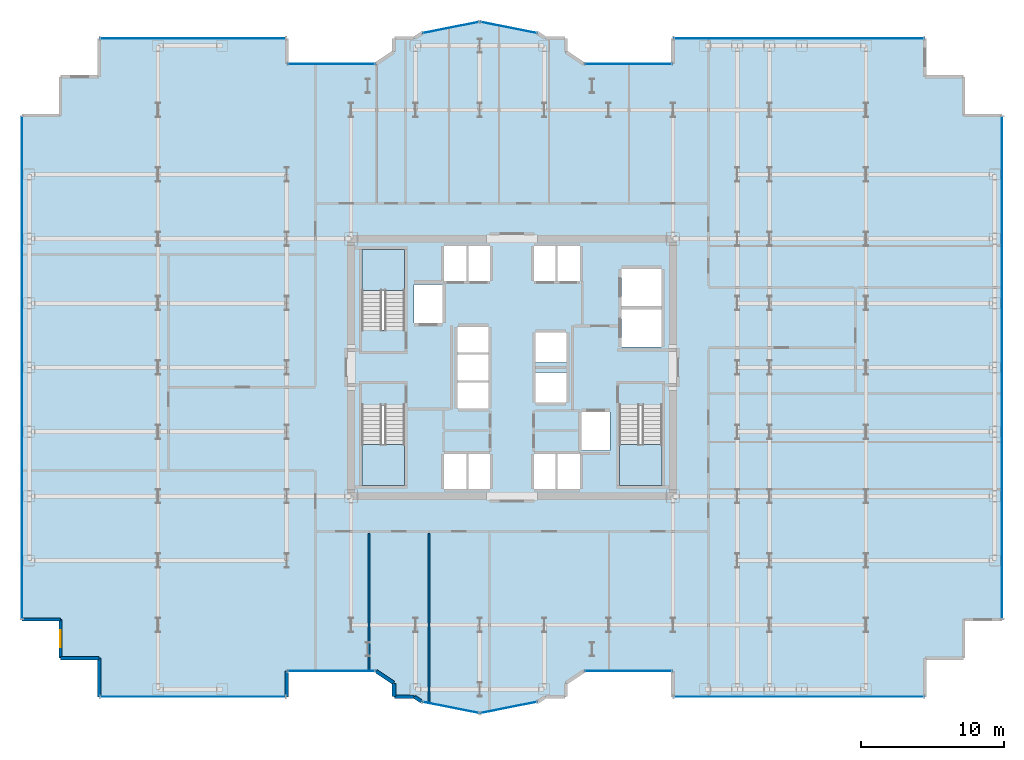
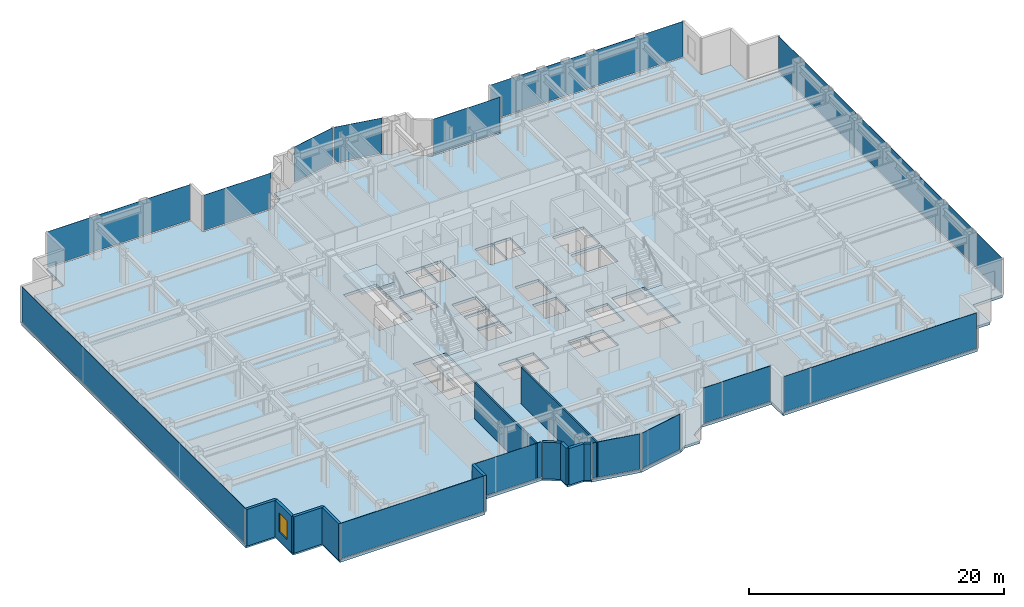
# One storey, part 19 of 26: 14 plates, 11 walls, 4 slabs, 1 window, 1 opening, 17 elements without a shape of their own.
"""IFC4 building model written with IfcOpenShell, lengths in metres."""

from ifc_helpers import new_model, si_unit, direction, frame, frame_2d, origin, origin_2d, place, context, subcontext, project, spatial, polyline, rectangle, outline, extrude, source, transform, mapped, material, layer, layer_set, type_object, element, fill, aggregate, save


model = new_model("IFC4")

# Units and contexts
model_context = context("Model", 3, precision=1e-05, world=origin(), true_north=direction((0.0, 1.0)))
body_context = subcontext(model_context, "Body", "Model", "MODEL_VIEW")
ifc_project = project(units=[si_unit("LENGTHUNIT", "METRE"), si_unit("AREAUNIT", "SQUARE_METRE"), si_unit("VOLUMEUNIT", "CUBIC_METRE"), si_unit("PLANEANGLEUNIT", "RADIAN"), si_unit("MASSUNIT", "GRAM", prefix="KILO")], contexts=[model_context])

# Site, building, storey
site_placement = place(None, origin())
site = spatial("IfcSite", under=ifc_project, at=site_placement, CompositionType="ELEMENT")
building_placement = place(site_placement, origin())
building = spatial("IfcBuilding", under=site, at=building_placement, Name="Nefas-Gora Pilgrimage Tower", CompositionType="ELEMENT")
storey_placement = place(building_placement, frame((0.0, 0.0, 140.199951171875)))
storey = spatial("IfcBuildingStorey", under=building, at=storey_placement, Name="L34", CompositionType="ELEMENT", Elevation=140.199951171875)

# Slab
ifc_material_1 = material(Name="Concrete C40/50", Category="concrete")
ifc_layer_1 = layer(ifc_material_1, 0.25)
ifc_layer_set_1 = layer_set([ifc_layer_1], Name="Concrete C40/50")
slab_type_1 = type_object("IfcSlabType", Name="SLB-TWR-250", PredefinedType="FLOOR", material=ifc_layer_set_1)
slab_1_placement = place(storey_placement, frame((0.0, 0.0, -0.25)))
element("IfcSlab", 1, at=slab_1_placement, inside=storey, type_object=slab_type_1, Name="L34 Structural Floor Slab", PredefinedType="FLOOR", context=body_context, shape_type="SweptSolid", body=[
    extrude(outline(polyline([(5.01806640625, -21.219970703125), (11.25, -21.219970703125), (11.25, -23.02001953125), (28.8701171875, -23.02001953125), (28.8701171875, -20.320068359375), (31.570068359375, -20.320068359375), (31.570068359375, -17.6201171875), (34.27001953125, -17.6201171875), (34.27001953125, 17.6201171875), (31.570068359375, 17.6201171875), (31.570068359375, 20.320068359375), (28.8701171875, 20.320068359375), (28.8701171875, 23.02001953125), (11.25, 23.02001953125), (11.25, 21.219970703125), (5.01806640625, 21.219970703125), (3.75, 22.0673828125), (3.75, 23.02001953125), (2.32421875, 23.02001953125), (1.807373046875, 23.365234375), (-2.25, 24.17236328125), (-6.307373046875, 23.365234375), (-6.82421875, 23.02001953125), (-8.25, 23.02001953125), (-8.25, 22.0673828125), (-9.51806640625, 21.219970703125), (-15.75, 21.219970703125), (-15.75, 23.02001953125), (-28.8701171875, 23.02001953125), (-28.8701171875, 20.320068359375), (-31.570068359375, 20.320068359375), (-31.570068359375, 17.6201171875), (-34.27001953125, 17.6201171875), (-34.27001953125, -17.6201171875), (-31.570068359375, -17.6201171875), (-31.570068359375, -20.320068359375), (-28.8701171875, -20.320068359375), (-28.8701171875, -23.02001953125), (-15.75, -23.02001953125), (-15.75, -21.219970703125), (-9.51806640625, -21.219970703125), (-8.25, -22.0673828125), (-8.25, -23.02001953125), (-6.82421875, -23.02001953125), (-6.307373046875, -23.365234375), (-2.25, -24.17236328125), (1.807373046875, -23.365234375), (2.32421875, -23.02001953125), (3.75, -23.02001953125), (3.75, -22.0673828125), (5.01806640625, -21.219970703125)]), holes=[polyline([(-10.5, 2.639892578125), (-10.5, 8.25), (-7.5, 8.25), (-7.5, 2.639892578125), (-10.5, 2.639892578125)]), polyline([(10.5, -2.639892578125), (10.5, -8.25), (7.5, -8.25), (7.5, -2.639892578125), (10.5, -2.639892578125)]), polyline([(-7.5, -2.639892578125), (-7.5, -8.25), (-10.5, -8.25), (-10.5, -2.639892578125), (-7.5, -2.639892578125)]), polyline([(-6.85009765625, 5.800048828125), (-4.85009765625, 5.800048828125), (-4.85009765625, 3.10009765625), (-6.85009765625, 3.10009765625), (-6.85009765625, 5.800048828125)]), polyline([(4.85009765625, -3.10009765625), (6.85009765625, -3.10009765625), (6.85009765625, -5.800048828125), (4.85009765625, -5.800048828125), (4.85009765625, -3.10009765625)]), polyline([(7.64990234375, 4.050048828125), (10.449951171875, 4.050048828125), (10.449951171875, 1.449951171875), (7.64990234375, 1.449951171875), (7.64990234375, 4.050048828125)]), polyline([(7.64990234375, 6.89990234375), (10.449951171875, 6.89990234375), (10.449951171875, 4.300048828125), (7.64990234375, 4.300048828125), (7.64990234375, 6.89990234375)]), polyline([(-4.75, 8.5), (-3.14990234375, 8.5), (-3.14990234375, 6.050048828125), (-4.75, 6.050048828125), (-4.75, 8.5)]), polyline([(-3.10009765625, 8.5), (-1.550048828125, 8.5), (-1.550048828125, 6.050048828125), (-3.10009765625, 6.050048828125), (-3.10009765625, 8.5)]), polyline([(1.550048828125, 8.5), (3.10009765625, 8.5), (3.10009765625, 6.050048828125), (1.550048828125, 6.050048828125), (1.550048828125, 8.5)]), polyline([(3.14990234375, 8.5), (4.75, 8.5), (4.75, 6.050048828125), (3.14990234375, 6.050048828125), (3.14990234375, 8.5)]), polyline([(-4.75, -6.050048828125), (-3.14990234375, -6.050048828125), (-3.14990234375, -8.5), (-4.75, -8.5), (-4.75, -6.050048828125)]), polyline([(-3.10009765625, -6.050048828125), (-1.550048828125, -6.050048828125), (-1.550048828125, -8.5), (-3.10009765625, -8.5), (-3.10009765625, -6.050048828125)]), polyline([(1.550048828125, -6.050048828125), (3.10009765625, -6.050048828125), (3.10009765625, -8.5), (1.550048828125, -8.5), (1.550048828125, -6.050048828125)]), polyline([(3.14990234375, -6.050048828125), (4.75, -6.050048828125), (4.75, -8.5), (3.14990234375, -8.5), (3.14990234375, -6.050048828125)]), polyline([(-3.800048828125, -1.050048828125), (-1.64990234375, -1.050048828125), (-1.64990234375, -2.85009765625), (-3.800048828125, -2.85009765625), (-3.800048828125, -1.050048828125)]), polyline([(-3.800048828125, 0.89990234375), (-1.64990234375, 0.89990234375), (-1.64990234375, -0.89990234375), (-3.800048828125, -0.89990234375), (-3.800048828125, 0.89990234375)]), polyline([(-3.800048828125, 2.85009765625), (-1.64990234375, 2.85009765625), (-1.64990234375, 1.050048828125), (-3.800048828125, 1.050048828125), (-3.800048828125, 2.85009765625)]), polyline([(1.64990234375, -0.35009765625), (3.800048828125, -0.35009765625), (3.800048828125, -2.449951171875), (1.64990234375, -2.449951171875), (1.64990234375, -0.35009765625)]), polyline([(1.64990234375, 2.449951171875), (3.800048828125, 2.449951171875), (3.800048828125, 0.35009765625), (1.64990234375, 0.35009765625), (1.64990234375, 2.449951171875)])]), origin(), (0.0, 0.0, 1.0), 0.25),
])

# Stair, slab
ifc_material_2 = material(Name="Concrete C45/55", Category="concrete")
stair_type = type_object("IfcStairType", Name="STR-1400-R1727", PredefinedType="HALF_TURN_STAIR", material=ifc_material_2)
stair_1_placement = place(storey_placement, origin())
stair_1 = element("IfcStair", 2, at=stair_1_placement, inside=storey, type_object=stair_type, Name="L34 Pressurised Tower Exit Stair ST-01", PredefinedType="HALF_TURN_STAIR")
ifc_layer_2 = layer(ifc_material_1, 0.199951171875)
ifc_layer_set_2 = layer_set([ifc_layer_2], Name="Concrete C40/50")
slab_type_2 = type_object("IfcSlabType", Name="STR-LAND-200", PredefinedType="LANDING", material=ifc_layer_set_2)
slab_2_placement = place(storey_placement, frame((0.0, 0.0, 1.699951171875)))
slab_2 = element("IfcSlab", 3, at=slab_2_placement, type_object=slab_type_2, Name="ST-01 landing 1", PredefinedType="LANDING", context=body_context, shape_type="SweptSolid", body=[
    extrude(outline(polyline([(-7.5, 5.39990234375), (-7.5, 8.25), (-10.5, 8.25), (-10.5, 5.39990234375), (-7.5, 5.39990234375)])), origin(), (0.0, 0.0, 1.0), 0.2001953125),
])
aggregate(stair_1, [slab_2])

stair_2_placement = place(storey_placement, origin())
stair_2 = element("IfcStair", 4, at=stair_2_placement, inside=storey, type_object=stair_type, Name="L34 Pressurised Tower Exit Stair ST-02", PredefinedType="HALF_TURN_STAIR")
slab_3_placement = place(storey_placement, frame((0.0, 0.0, 1.699951171875)))
slab_3 = element("IfcSlab", 5, at=slab_3_placement, type_object=slab_type_2, Name="ST-02 landing 1", PredefinedType="LANDING", context=body_context, shape_type="SweptSolid", body=[
    extrude(outline(polyline([(7.5, -5.39990234375), (7.5, -8.25), (10.5, -8.25), (10.5, -5.39990234375), (7.5, -5.39990234375)])), origin(), (0.0, 0.0, 1.0), 0.2001953125),
])
aggregate(stair_2, [slab_3])

stair_3_placement = place(storey_placement, origin())
stair_3 = element("IfcStair", 6, at=stair_3_placement, inside=storey, type_object=stair_type, Name="L34 Pressurised Tower Exit Stair ST-03", PredefinedType="HALF_TURN_STAIR")
slab_4_placement = place(storey_placement, frame((0.0, 0.0, 1.699951171875)))
slab_4 = element("IfcSlab", 7, at=slab_4_placement, type_object=slab_type_2, Name="ST-03 landing 1", PredefinedType="LANDING", context=body_context, shape_type="SweptSolid", body=[
    extrude(outline(polyline([(-10.5, -5.39990234375), (-10.5, -8.25), (-7.5, -8.25), (-7.5, -5.39990234375), (-10.5, -5.39990234375)])), origin(), (0.0, 0.0, 1.0), 0.2001953125),
])
aggregate(stair_3, [slab_4])

# Curtain wall, plate
ifc_material_3 = material(Name="Dark ceramic-fritted solar-control aluminium-glass curtain wall", Category="aluminium")
ifc_layer_3 = layer(ifc_material_3, 0.219970703125)
ifc_layer_set_3 = layer_set([ifc_layer_3], Name="Dark ceramic-fritted solar-control aluminium-glass curtain wall")
curtain_wall_type_1 = type_object("IfcCurtainWallType", Name="CW-SYS-5", PredefinedType="NOTDEFINED", material=ifc_layer_set_3)
curtain_wall_1_placement = place(storey_placement, origin())
curtain_wall_1 = element("IfcCurtainWall", 8, at=curtain_wall_1_placement, inside=storey, type_object=curtain_wall_type_1, Name="L34 Unitised Curtain Wall CW5", PredefinedType="NOTDEFINED")
ifc_material_4 = material(Name="Dark ceramic-printed low-e insulated glass", Category="glass")
ifc_layer_4 = layer(ifc_material_4, 0.028076171875)
ifc_layer_set_4 = layer_set([ifc_layer_4], Name="Dark ceramic-printed low-e insulated glass")
plate_type_1 = type_object("IfcPlateType", Name="CWP-PNL-5", PredefinedType="CURTAIN_PANEL", material=ifc_layer_set_4)
shared_shape_1 = source(origin(), body_context, "Body", "SweptSolid", [
    extrude(rectangle(XDim=6.052001953125, YDim=0.028076171875, at=origin_2d()), origin(), (0.0, 0.0, 1.0), 3.389892578125),
])
plate_1_placement = place(storey_placement, frame((8.134033203125, -21.219970703125, 0.10009765625), z_axis=(0.0, 0.0, 1.0), x_axis=(1.0, 0.0, 0.0)))
plate_1 = element("IfcPlate", 9, at=plate_1_placement, type_object=plate_type_1, Name="CW5 Ceramic-Fritted Glazing Panel 1", PredefinedType="CURTAIN_PANEL", context=body_context, shape_type="MappedRepresentation", body=[
    mapped(shared_shape_1, transform((0.0, 0.0, 0.0), x_axis=(1.0, 0.0, 0.0), y_axis=(0.0, 1.0, 0.0), z_axis=(0.0, 0.0, 1.0), scale=1.0)),
])
aggregate(curtain_wall_1, [plate_1])

curtain_wall_2_placement = place(storey_placement, origin())
curtain_wall_2 = element("IfcCurtainWall", 10, at=curtain_wall_2_placement, inside=storey, type_object=curtain_wall_type_1, Name="L34 Unitised Curtain Wall CW5", PredefinedType="NOTDEFINED")
plate_2_placement = place(storey_placement, frame((8.134033203125, 21.219970703125, 0.10009765625), z_axis=(0.0, 0.0, 1.0), x_axis=(-1.0, 0.0, 0.0)))
plate_2 = element("IfcPlate", 11, at=plate_2_placement, type_object=plate_type_1, Name="CW5 Ceramic-Fritted Glazing Panel 1", PredefinedType="CURTAIN_PANEL", context=body_context, shape_type="MappedRepresentation", body=[
    mapped(shared_shape_1, transform((0.0, 0.0, 0.0), x_axis=(1.0, 0.0, 0.0), y_axis=(0.0, 1.0, 0.0), z_axis=(0.0, 0.0, 1.0), scale=1.0)),
])
aggregate(curtain_wall_2, [plate_2])

curtain_wall_3_placement = place(storey_placement, origin())
curtain_wall_3 = element("IfcCurtainWall", 12, at=curtain_wall_3_placement, inside=storey, type_object=curtain_wall_type_1, Name="L34 Unitised Curtain Wall CW5", PredefinedType="NOTDEFINED")
plate_3_placement = place(storey_placement, frame((-12.634033203125, 21.219970703125, 0.10009765625), z_axis=(0.0, 0.0, 1.0), x_axis=(-1.0, 0.0, 0.0)))
plate_3 = element("IfcPlate", 13, at=plate_3_placement, type_object=plate_type_1, Name="CW5 Ceramic-Fritted Glazing Panel 1", PredefinedType="CURTAIN_PANEL", context=body_context, shape_type="MappedRepresentation", body=[
    mapped(shared_shape_1, transform((0.0, 0.0, 0.0), x_axis=(1.0, 0.0, 0.0), y_axis=(0.0, 1.0, 0.0), z_axis=(0.0, 0.0, 1.0), scale=1.0)),
])
aggregate(curtain_wall_3, [plate_3])

curtain_wall_4_placement = place(storey_placement, origin())
curtain_wall_4 = element("IfcCurtainWall", 14, at=curtain_wall_4_placement, inside=storey, type_object=curtain_wall_type_1, Name="L34 Unitised Curtain Wall CW5", PredefinedType="NOTDEFINED")
plate_4_placement = place(storey_placement, frame((-12.634033203125, -21.219970703125, 0.10009765625), z_axis=(0.0, 0.0, 1.0), x_axis=(1.0, 0.0, 0.0)))
plate_4 = element("IfcPlate", 15, at=plate_4_placement, type_object=plate_type_1, Name="CW5 Ceramic-Fritted Glazing Panel 1", PredefinedType="CURTAIN_PANEL", context=body_context, shape_type="MappedRepresentation", body=[
    mapped(shared_shape_1, transform((0.0, 0.0, 0.0), x_axis=(1.0, 0.0, 0.0), y_axis=(0.0, 1.0, 0.0), z_axis=(0.0, 0.0, 1.0), scale=1.0)),
])
aggregate(curtain_wall_4, [plate_4])

ifc_layer_5 = layer(ifc_material_3, 0.219970703125)
ifc_layer_set_5 = layer_set([ifc_layer_5], Name="Dark ceramic-fritted solar-control aluminium-glass curtain wall")
curtain_wall_type_2 = type_object("IfcCurtainWallType", Name="CW-SYS-2", PredefinedType="NOTDEFINED", material=ifc_layer_set_5)
curtain_wall_5_placement = place(storey_placement, origin())
curtain_wall_5 = element("IfcCurtainWall", 16, at=curtain_wall_5_placement, inside=storey, type_object=curtain_wall_type_2, Name="L34 Unitised Curtain Wall CW2", PredefinedType="NOTDEFINED")
ifc_layer_6 = layer(ifc_material_4, 0.031982421875)
ifc_layer_set_6 = layer_set([ifc_layer_6], Name="Dark ceramic-printed low-e insulated glass")
plate_type_2 = type_object("IfcPlateType", Name="CWP-PNL-2", PredefinedType="CURTAIN_PANEL", material=ifc_layer_set_6)
shared_shape_2 = source(origin(), body_context, "Body", "SweptSolid", [
    extrude(rectangle(XDim=17.43994140625, YDim=0.031982421875, at=origin_2d()), origin(), (0.0, 0.0, 1.0), 3.389892578125),
])
plate_5_placement = place(storey_placement, frame((20.06005859375, -23.02001953125, 0.10009765625), z_axis=(0.0, 0.0, 1.0), x_axis=(1.0, 0.0, 0.0)))
plate_5 = element("IfcPlate", 17, at=plate_5_placement, type_object=plate_type_2, Name="CW2 Ceramic-Fritted Glazing Panel 1", PredefinedType="CURTAIN_PANEL", context=body_context, shape_type="MappedRepresentation", body=[
    mapped(shared_shape_2, transform((0.0, 0.0, 0.0), x_axis=(1.0, 0.0, 0.0), y_axis=(0.0, 1.0, 0.0), z_axis=(0.0, 0.0, 1.0), scale=1.0)),
])
aggregate(curtain_wall_5, [plate_5])

curtain_wall_6_placement = place(storey_placement, origin())
curtain_wall_6 = element("IfcCurtainWall", 18, at=curtain_wall_6_placement, inside=storey, type_object=curtain_wall_type_2, Name="L34 Unitised Curtain Wall CW2", PredefinedType="NOTDEFINED")
plate_6_placement = place(storey_placement, frame((20.06005859375, 23.02001953125, 0.10009765625), z_axis=(0.0, 0.0, 1.0), x_axis=(-1.0, 0.0, 0.0)))
plate_6 = element("IfcPlate", 19, at=plate_6_placement, type_object=plate_type_2, Name="CW2 Ceramic-Fritted Glazing Panel 1", PredefinedType="CURTAIN_PANEL", context=body_context, shape_type="MappedRepresentation", body=[
    mapped(shared_shape_2, transform((0.0, 0.0, 0.0), x_axis=(1.0, 0.0, 0.0), y_axis=(0.0, 1.0, 0.0), z_axis=(0.0, 0.0, 1.0), scale=1.0)),
])
aggregate(curtain_wall_6, [plate_6])

curtain_wall_7_placement = place(storey_placement, origin())
curtain_wall_7 = element("IfcCurtainWall", 20, at=curtain_wall_7_placement, inside=storey, type_object=curtain_wall_type_2, Name="L34 Unitised Curtain Wall CW2", PredefinedType="NOTDEFINED")
shared_shape_3 = source(origin(), body_context, "Body", "SweptSolid", [
    extrude(rectangle(XDim=35.06005859375, YDim=0.031982421875, at=origin_2d()), origin(), (0.0, 0.0, 1.0), 3.389892578125),
])
plate_7_placement = place(storey_placement, frame((34.27001953125, 0.0, 0.10009765625), z_axis=(0.0, 0.0, 1.0), x_axis=(0.0, 1.0, 0.0)))
plate_7 = element("IfcPlate", 21, at=plate_7_placement, type_object=plate_type_2, Name="CW2 Ceramic-Fritted Glazing Panel 1", PredefinedType="CURTAIN_PANEL", context=body_context, shape_type="MappedRepresentation", body=[
    mapped(shared_shape_3, transform((0.0, 0.0, 0.0), x_axis=(1.0, 0.0, 0.0), y_axis=(0.0, 1.0, 0.0), z_axis=(0.0, 0.0, 1.0), scale=1.0)),
])
aggregate(curtain_wall_7, [plate_7])

curtain_wall_8_placement = place(storey_placement, origin())
curtain_wall_8 = element("IfcCurtainWall", 22, at=curtain_wall_8_placement, inside=storey, type_object=curtain_wall_type_2, Name="L34 Unitised Curtain Wall CW2", PredefinedType="NOTDEFINED")
plate_8_placement = place(storey_placement, frame((-34.27001953125, 0.0, 0.10009765625), z_axis=(0.0, 0.0, 1.0), x_axis=(0.0, -1.0, 0.0)))
plate_8 = element("IfcPlate", 23, at=plate_8_placement, type_object=plate_type_2, Name="CW2 Ceramic-Fritted Glazing Panel 1", PredefinedType="CURTAIN_PANEL", context=body_context, shape_type="MappedRepresentation", body=[
    mapped(shared_shape_3, transform((0.0, 0.0, 0.0), x_axis=(1.0, 0.0, 0.0), y_axis=(0.0, 1.0, 0.0), z_axis=(0.0, 0.0, 1.0), scale=1.0)),
])
aggregate(curtain_wall_8, [plate_8])

curtain_wall_9_placement = place(storey_placement, origin())
curtain_wall_9 = element("IfcCurtainWall", 24, at=curtain_wall_9_placement, inside=storey, type_object=curtain_wall_type_1, Name="L34 Unitised Curtain Wall CW5", PredefinedType="NOTDEFINED")
shared_shape_4 = source(origin(), body_context, "Body", "SweptSolid", [
    extrude(rectangle(XDim=3.956787109375, YDim=0.028076171875, at=origin_2d()), origin(), (0.0, 0.0, 1.0), 3.389892578125),
])
plate_9_placement = place(storey_placement, frame((-0.22119140625, 23.768798828125, 0.10009765625), z_axis=(0.0, 0.0, 1.0), x_axis=(-0.980782896852, 0.195102304554, 0.0)))
plate_9 = element("IfcPlate", 25, at=plate_9_placement, type_object=plate_type_1, Name="CW5 Ceramic-Fritted Glazing Panel 1", PredefinedType="CURTAIN_PANEL", context=body_context, shape_type="MappedRepresentation", body=[
    mapped(shared_shape_4, transform((0.0, 0.0, 0.0), x_axis=(1.0, 0.0, 0.0), y_axis=(0.0, 1.0, 0.0), z_axis=(0.0, 0.0, 1.0), scale=1.0)),
])
aggregate(curtain_wall_9, [plate_9])

curtain_wall_10_placement = place(storey_placement, origin())
curtain_wall_10 = element("IfcCurtainWall", 26, at=curtain_wall_10_placement, inside=storey, type_object=curtain_wall_type_1, Name="L34 Unitised Curtain Wall CW5", PredefinedType="NOTDEFINED")
plate_10_placement = place(storey_placement, frame((-4.278564453125, 23.768798828125, 0.10009765625), z_axis=(0.0, 0.0, 1.0), x_axis=(-0.980782896852, -0.195102304554, 0.0)))
plate_10 = element("IfcPlate", 27, at=plate_10_placement, type_object=plate_type_1, Name="CW5 Ceramic-Fritted Glazing Panel 1", PredefinedType="CURTAIN_PANEL", context=body_context, shape_type="MappedRepresentation", body=[
    mapped(shared_shape_4, transform((0.0, 0.0, 0.0), x_axis=(1.0, 0.0, 0.0), y_axis=(0.0, 1.0, 0.0), z_axis=(0.0, 0.0, 1.0), scale=1.0)),
])
aggregate(curtain_wall_10, [plate_10])

curtain_wall_11_placement = place(storey_placement, origin())
curtain_wall_11 = element("IfcCurtainWall", 28, at=curtain_wall_11_placement, inside=storey, type_object=curtain_wall_type_1, Name="L34 Unitised Curtain Wall CW5", PredefinedType="NOTDEFINED")
plate_11_placement = place(storey_placement, frame((-4.278564453125, -23.768798828125, 0.10009765625), z_axis=(0.0, 0.0, 1.0), x_axis=(0.980782896852, -0.195102304554, 0.0)))
plate_11 = element("IfcPlate", 29, at=plate_11_placement, type_object=plate_type_1, Name="CW5 Ceramic-Fritted Glazing Panel 1", PredefinedType="CURTAIN_PANEL", context=body_context, shape_type="MappedRepresentation", body=[
    mapped(shared_shape_4, transform((0.0, 0.0, 0.0), x_axis=(1.0, 0.0, 0.0), y_axis=(0.0, 1.0, 0.0), z_axis=(0.0, 0.0, 1.0), scale=1.0)),
])
aggregate(curtain_wall_11, [plate_11])

curtain_wall_12_placement = place(storey_placement, origin())
curtain_wall_12 = element("IfcCurtainWall", 30, at=curtain_wall_12_placement, inside=storey, type_object=curtain_wall_type_1, Name="L34 Unitised Curtain Wall CW5", PredefinedType="NOTDEFINED")
plate_12_placement = place(storey_placement, frame((-0.221435546875, -23.768798828125, 0.10009765625), z_axis=(0.0, 0.0, 1.0), x_axis=(0.980782896852, 0.195102304554, 0.0)))
plate_12 = element("IfcPlate", 31, at=plate_12_placement, type_object=plate_type_1, Name="CW5 Ceramic-Fritted Glazing Panel 1", PredefinedType="CURTAIN_PANEL", context=body_context, shape_type="MappedRepresentation", body=[
    mapped(shared_shape_4, transform((0.0, 0.0, 0.0), x_axis=(1.0, 0.0, 0.0), y_axis=(0.0, 1.0, 0.0), z_axis=(0.0, 0.0, 1.0), scale=1.0)),
])
aggregate(curtain_wall_12, [plate_12])

curtain_wall_13_placement = place(storey_placement, origin())
curtain_wall_13 = element("IfcCurtainWall", 32, at=curtain_wall_13_placement, inside=storey, type_object=curtain_wall_type_2, Name="L34 Unitised Curtain Wall CW2", PredefinedType="NOTDEFINED")
shared_shape_5 = source(origin(), body_context, "Body", "SweptSolid", [
    extrude(rectangle(XDim=12.93994140625, YDim=0.031982421875, at=origin_2d()), origin(), (0.0, 0.0, 1.0), 3.389892578125),
])
plate_13_placement = place(storey_placement, frame((-22.31005859375, 23.02001953125, 0.10009765625), z_axis=(0.0, 0.0, 1.0), x_axis=(-1.0, 0.0, 0.0)))
plate_13 = element("IfcPlate", 33, at=plate_13_placement, type_object=plate_type_2, Name="CW2 Ceramic-Fritted Glazing Panel 1", PredefinedType="CURTAIN_PANEL", context=body_context, shape_type="MappedRepresentation", body=[
    mapped(shared_shape_5, transform((0.0, 0.0, 0.0), x_axis=(1.0, 0.0, 0.0), y_axis=(0.0, 1.0, 0.0), z_axis=(0.0, 0.0, 1.0), scale=1.0)),
])
aggregate(curtain_wall_13, [plate_13])

curtain_wall_14_placement = place(storey_placement, origin())
curtain_wall_14 = element("IfcCurtainWall", 34, at=curtain_wall_14_placement, inside=storey, type_object=curtain_wall_type_2, Name="L34 Unitised Curtain Wall CW2", PredefinedType="NOTDEFINED")
plate_14_placement = place(storey_placement, frame((-22.31005859375, -23.02001953125, 0.10009765625), z_axis=(0.0, 0.0, 1.0), x_axis=(1.0, 0.0, 0.0)))
plate_14 = element("IfcPlate", 35, at=plate_14_placement, type_object=plate_type_2, Name="CW2 Ceramic-Fritted Glazing Panel 1", PredefinedType="CURTAIN_PANEL", context=body_context, shape_type="MappedRepresentation", body=[
    mapped(shared_shape_5, transform((0.0, 0.0, 0.0), x_axis=(1.0, 0.0, 0.0), y_axis=(0.0, 1.0, 0.0), z_axis=(0.0, 0.0, 1.0), scale=1.0)),
])
aggregate(curtain_wall_14, [plate_14])

# Walls
ifc_material_5 = material(Name="Precast concrete C40/50", Category="concrete")
ifc_layer_7 = layer(ifc_material_5, 0.260009765625)
ifc_layer_set_7 = layer_set([ifc_layer_7], Name="Precast concrete C40/50")
wall_type_1 = type_object("IfcWallType", Name="EW-PORTAL-260", PredefinedType="SOLIDWALL", material=ifc_layer_set_7)
shared_shape_6 = source(origin(), body_context, "Body", "SweptSolid", [
    extrude(rectangle(XDim=1.800048828125, YDim=0.260009765625, at=frame_2d((0.89990234375, 0.0))), origin(), (0.0, 0.0, 1.0), 3.5),
])
wall_1_placement = place(storey_placement, frame((-15.75, -23.02001953125, 0.0), z_axis=(0.0, 0.0, 1.0), x_axis=(0.0, 1.0, 0.0)))
element("IfcWall", 36, at=wall_1_placement, inside=storey, type_object=wall_type_1, Name="L34 Lobe Shoulder Precast Spandrel Pier 28", PredefinedType="SOLIDWALL", context=body_context, shape_type="MappedRepresentation", body=[
    mapped(shared_shape_6, transform((0.0, 0.0, 0.0), x_axis=(1.0, 0.0, 0.0), y_axis=(0.0, 1.0, 0.0), z_axis=(0.0, 0.0, 1.0), scale=1.0)),
])
ifc_material_6 = material(Name="Precast concrete C45/55", Category="concrete")
ifc_layer_8 = layer(ifc_material_6, 0.239990234375)
ifc_layer_set_8 = layer_set([ifc_layer_8], Name="Precast concrete C45/55")
wall_type_2 = type_object("IfcWallType", Name="EW-SERR-240", PredefinedType="SHEAR", material=ifc_layer_set_8)
shared_shape_7 = source(origin(), body_context, "Body", "SweptSolid", [
    extrude(rectangle(XDim=2.699951171875, YDim=0.239990234375, at=frame_2d((1.35009765625, 0.0))), origin(), (0.0, 0.0, 1.0), 3.5),
])
wall_2_placement = place(storey_placement, frame((-34.27001953125, -17.6201171875, 0.0), z_axis=(0.0, 0.0, 1.0), x_axis=(1.0, 0.0, 0.0)))
element("IfcWall", 37, at=wall_2_placement, inside=storey, type_object=wall_type_2, Name="L34 Serrated Corner Shear Pier Wall 24", PredefinedType="SHEAR", context=body_context, shape_type="MappedRepresentation", body=[
    mapped(shared_shape_7, transform((0.0, 0.0, 0.0), x_axis=(1.0, 0.0, 0.0), y_axis=(0.0, 1.0, 0.0), z_axis=(0.0, 0.0, 1.0), scale=1.0)),
])

# Wall, opening, window
wall_3_placement = place(storey_placement, frame((-31.570068359375, -17.6201171875, 0.0), z_axis=(0.0, 0.0, 1.0), x_axis=(0.0, -1.0, 0.0)))
wall_3 = element("IfcWall", 38, at=wall_3_placement, inside=storey, type_object=wall_type_2, Name="L34 Serrated Corner Shear Pier Wall 25", PredefinedType="SHEAR", context=body_context, shape_type="MappedRepresentation", body=[
    mapped(shared_shape_7, transform((0.0, 0.0, 0.0), x_axis=(1.0, 0.0, 0.0), y_axis=(0.0, 1.0, 0.0), z_axis=(0.0, 0.0, 1.0), scale=1.0)),
])
opening_placement = place(wall_3_placement, frame((0.75, 0.0, 0.85009765625)))
opening = element("IfcOpeningElement", 39, at=opening_placement, cuts=wall_3, Name="Opening W-V1", PredefinedType="OPENING", context=body_context, shape_type="SweptSolid", body=[
    extrude(rectangle(XDim=1.199951171875, YDim=1.800048828125, at=frame_2d((0.60009765625, 0.89990234375))), frame((0.0, 0.1298828125, 0.0), z_axis=(0.0, -1.0, 0.0), x_axis=(1.0, 0.0, 0.0)), (0.0, 0.0, 1.0), 0.260009765625),
])
ifc_material_7 = material(Name="Dark ceramic-fritted operable aluminium-glass window", Category="aluminium")
window_type = type_object("IfcWindowType", Name="WIN-VENT-1200x1800", PartitioningType="SINGLE_PANEL", PredefinedType="WINDOW", material=ifc_material_7)
shared_shape_8 = source(origin(), body_context, "Body", "SweptSolid", [
    extrude(rectangle(XDim=1.199951171875, YDim=1.800048828125, at=frame_2d((0.60009765625, 0.89990234375))), frame((0.0, 0.030029296875, 0.0), z_axis=(0.0, -1.0, 0.0), x_axis=(1.0, 0.0, 0.0)), (0.0, 0.0, 1.0), 0.06005859375),
])
window_placement = place(opening_placement, origin())
window = element("IfcWindow", 40, at=window_placement, inside=storey, type_object=window_type, Name="L34 Operable Parallel-Outswing Window 25", OverallHeight=1.800048828125, OverallWidth=1.199951171875, PartitioningType="SINGLE_PANEL", PredefinedType="WINDOW", context=body_context, shape_type="MappedRepresentation", body=[
    mapped(shared_shape_8, transform((0.0, 0.0, 0.0), x_axis=(1.0, 0.0, 0.0), y_axis=(0.0, 1.0, 0.0), z_axis=(0.0, 0.0, 1.0), scale=1.0)),
])
fill(opening, window)

# Walls
for number, where, z_axis, x_axis, name in (
    (41, (-31.570068359375, -20.320068359375, 0.0), (0.0, 0.0, 1.0), (1.0, 0.0, 0.0), "L34 Serrated Corner Shear Pier Wall 26"),
    (42, (-28.8701171875, -20.320068359375, 0.0), (0.0, 0.0, 1.0), (0.0, -1.0, 0.0), "L34 Serrated Corner Shear Pier Wall 27"),
):
    element("IfcWall", number, at=place(storey_placement, frame(where, z_axis=z_axis, x_axis=x_axis)), inside=storey, type_object=wall_type_2, Name=name, PredefinedType="SHEAR", context=body_context, shape_type="MappedRepresentation", body=[
        mapped(shared_shape_7, transform((0.0, 0.0, 0.0), x_axis=(1.0, 0.0, 0.0), y_axis=(0.0, 1.0, 0.0), z_axis=(0.0, 0.0, 1.0), scale=1.0)),
    ])
shared_shape_9 = source(origin(), body_context, "Body", "SweptSolid", [
    extrude(rectangle(XDim=1.468994140625, YDim=0.260009765625, at=frame_2d((0.734375, 0.0))), origin(), (0.0, 0.0, 1.0), 3.5),
])
wall_4_placement = place(storey_placement, frame((-9.49462890625, -21.235595703125, 0.0), z_axis=(0.0, 0.0, 1.0), x_axis=(0.831461760506, -0.555581983884, 0.0)))
element("IfcWall", 43, at=wall_4_placement, inside=storey, type_object=wall_type_1, Name="L34 Lobe Shoulder Precast Spandrel Pier 29", PredefinedType="SOLIDWALL", context=body_context, shape_type="MappedRepresentation", body=[
    mapped(shared_shape_9, transform((0.0, 0.0, 0.0), x_axis=(1.0, 0.0, 0.0), y_axis=(0.0, 1.0, 0.0), z_axis=(0.0, 0.0, 1.0), scale=1.0)),
])
shared_shape_10 = source(origin(), body_context, "Body", "SweptSolid", [
    extrude(rectangle(XDim=0.896728515625, YDim=0.260009765625, at=frame_2d((0.4482421875, 0.0))), origin(), (0.0, 0.0, 1.0), 3.5),
])
wall_5_placement = place(storey_placement, frame((-8.25, -22.09521484375, 0.0), z_axis=(0.0, 0.0, 1.0), x_axis=(0.0, -1.0, 0.0)))
element("IfcWall", 44, at=wall_5_placement, inside=storey, type_object=wall_type_1, Name="L34 Lobe Shoulder Precast Spandrel Pier 30", PredefinedType="SOLIDWALL", context=body_context, shape_type="MappedRepresentation", body=[
    mapped(shared_shape_10, transform((0.0, 0.0, 0.0), x_axis=(1.0, 0.0, 0.0), y_axis=(0.0, 1.0, 0.0), z_axis=(0.0, 0.0, 1.0), scale=1.0)),
])
shared_shape_11 = source(origin(), body_context, "Body", "SweptSolid", [
    extrude(rectangle(XDim=1.369873046875, YDim=0.260009765625, at=frame_2d((0.68505859375, 0.0))), origin(), (0.0, 0.0, 1.0), 3.5),
])
wall_6_placement = place(storey_placement, frame((-8.221923828125, -23.02001953125, 0.0), z_axis=(0.0, 0.0, 1.0), x_axis=(1.0, 0.0, 0.0)))
element("IfcWall", 45, at=wall_6_placement, inside=storey, type_object=wall_type_1, Name="L34 Lobe Shoulder Precast Spandrel Pier 31", PredefinedType="SOLIDWALL", context=body_context, shape_type="MappedRepresentation", body=[
    mapped(shared_shape_11, transform((0.0, 0.0, 0.0), x_axis=(1.0, 0.0, 0.0), y_axis=(0.0, 1.0, 0.0), z_axis=(0.0, 0.0, 1.0), scale=1.0)),
])
shared_shape_12 = source(origin(), body_context, "Body", "SweptSolid", [
    extrude(rectangle(XDim=0.5654296875, YDim=0.260009765625, at=frame_2d((0.28271484375, 0.0))), origin(), (0.0, 0.0, 1.0), 3.5),
])
wall_7_placement = place(storey_placement, frame((-6.80078125, -23.03564453125, 0.0), z_axis=(0.0, 0.0, 1.0), x_axis=(0.831651492666, -0.555297933317, 0.0)))
element("IfcWall", 46, at=wall_7_placement, inside=storey, type_object=wall_type_1, Name="L34 Lobe Shoulder Precast Spandrel Pier 32", PredefinedType="SOLIDWALL", context=body_context, shape_type="MappedRepresentation", body=[
    mapped(shared_shape_12, transform((0.0, 0.0, 0.0), x_axis=(1.0, 0.0, 0.0), y_axis=(0.0, 1.0, 0.0), z_axis=(0.0, 0.0, 1.0), scale=1.0)),
])
ifc_material_8 = material(Name="Gypsum twin-stud partition")
ifc_layer_9 = layer(ifc_material_8, 0.139892578125)
ifc_layer_set_9 = layer_set([ifc_layer_9], Name="Gypsum twin-stud partition")
wall_type_3 = type_object("IfcWallType", Name="IW-UNIT-140", PredefinedType="PARTITIONING", material=ifc_layer_set_9)
shared_shape_13 = source(origin(), body_context, "Body", "SweptSolid", [
    extrude(rectangle(XDim=9.64990234375, YDim=0.139892578125, at=frame_2d((4.824951171875, 0.0))), origin(), (0.0, 0.0, 1.0), 3.485107421875),
])
wall_8_placement = place(storey_placement, frame((-10.0048828125, -21.239990234375, 0.0), z_axis=(0.0, 0.0, 1.0), x_axis=(0.0, 1.0, 0.0)))
element("IfcWall", 47, at=wall_8_placement, inside=storey, type_object=wall_type_3, Name="L34 Pilgrim Contemplative Lounge Partition Wall 60", PredefinedType="PARTITIONING", context=body_context, shape_type="MappedRepresentation", body=[
    mapped(shared_shape_13, transform((0.0, 0.0, 0.0), x_axis=(1.0, 0.0, 0.0), y_axis=(0.0, 1.0, 0.0), z_axis=(0.0, 0.0, 1.0), scale=1.0)),
])
shared_shape_14 = source(origin(), body_context, "Body", "SweptSolid", [
    extrude(rectangle(XDim=11.89794921875, YDim=0.139892578125, at=frame_2d((5.948974609375, 0.0))), origin(), (0.0, 0.0, 1.0), 3.485107421875),
])
wall_9_placement = place(storey_placement, frame((-5.8125, -23.488037109375, 0.0), z_axis=(0.0, 0.0, 1.0), x_axis=(0.0, 1.0, 0.0)))
element("IfcWall", 48, at=wall_9_placement, inside=storey, type_object=wall_type_3, Name="L34 Pilgrim Contemplative Lounge Partition Wall 65", PredefinedType="PARTITIONING", context=body_context, shape_type="MappedRepresentation", body=[
    mapped(shared_shape_14, transform((0.0, 0.0, 0.0), x_axis=(1.0, 0.0, 0.0), y_axis=(0.0, 1.0, 0.0), z_axis=(0.0, 0.0, 1.0), scale=1.0)),
])

save(model, "model.ifc")
